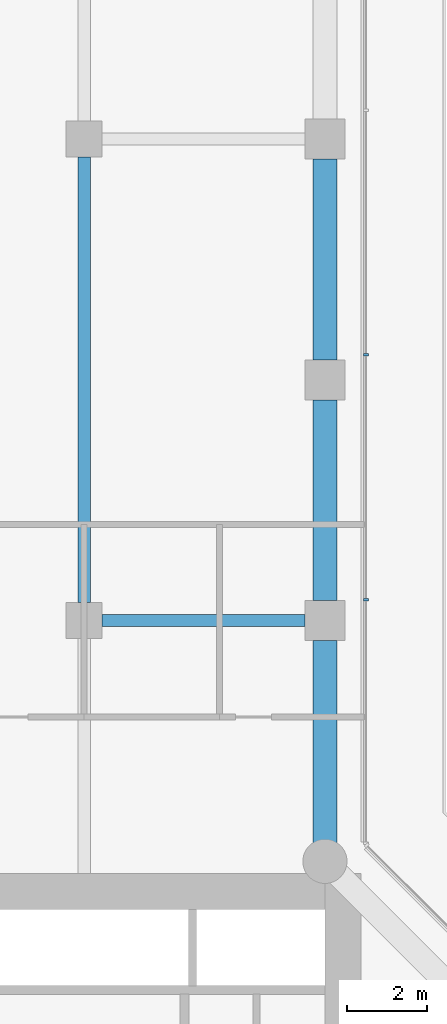
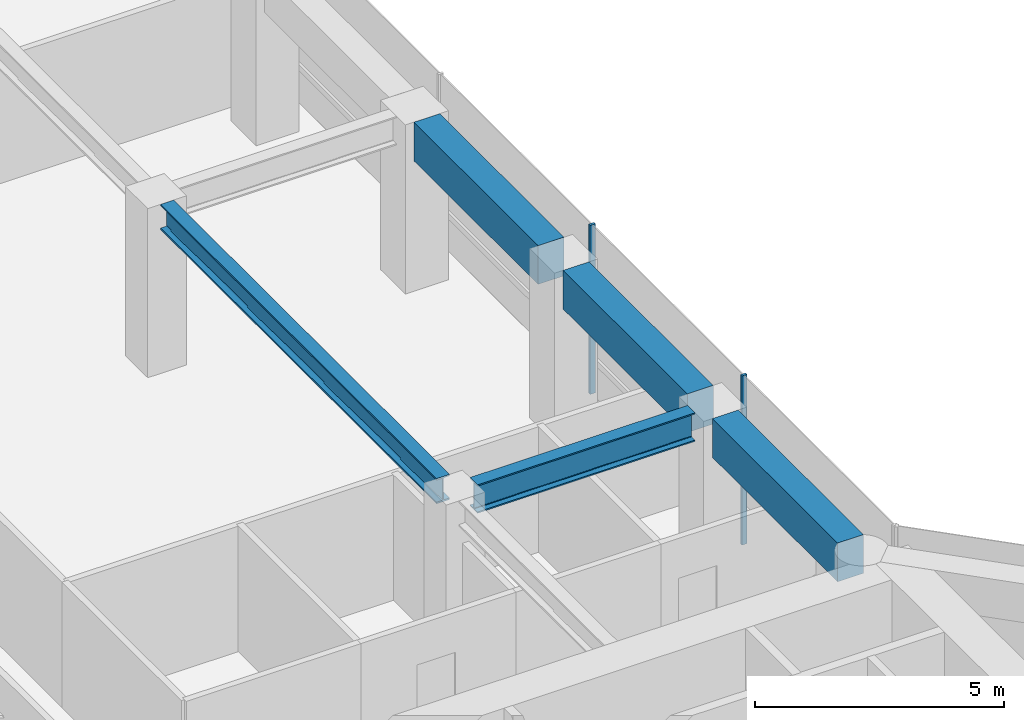
# One storey, part 14 of 24: 5 beams, 2 members, 1 element without a shape of its own.
"""IFC4 building model written with IfcOpenShell, lengths in metres."""

from ifc_helpers import new_model, si_unit, direction, frame, origin, origin_2d, place, context, subcontext, project, spatial, rectangle, i_section, extrude, material, layer, layer_set, material_profile, profile_set, type_object, element, aggregate, save


model = new_model("IFC4")

# Units and contexts
model_context = context("Model", 3, precision=1e-05, world=origin(), true_north=direction((0.0, 1.0)))
body_context = subcontext(model_context, "Body", "Model", "MODEL_VIEW")
ifc_project = project(units=[si_unit("LENGTHUNIT", "METRE"), si_unit("AREAUNIT", "SQUARE_METRE"), si_unit("VOLUMEUNIT", "CUBIC_METRE"), si_unit("PLANEANGLEUNIT", "RADIAN"), si_unit("MASSUNIT", "GRAM", prefix="KILO")], contexts=[model_context])

# Site, building, storey
site_placement = place(None, origin())
site = spatial("IfcSite", under=ifc_project, at=site_placement, CompositionType="ELEMENT")
building_placement = place(site_placement, origin())
building = spatial("IfcBuilding", under=site, at=building_placement, Name="Welwitschia Terrace Campus", CompositionType="ELEMENT")
storey_placement = place(building_placement, frame((0.0, 0.0, 15.5)))
storey = spatial("IfcBuildingStorey", under=building, at=storey_placement, Name="L03", CompositionType="ELEMENT", Elevation=15.5)

# Beam
ifc_material_1 = material(Name="Steel S355", Category="steel")
ifc_material_profile_1 = material_profile(ifc_material_1, i_section(OverallWidth=0.304931640625, OverallDepth=0.6201171875, WebThickness=0.02099609375, FlangeThickness=0.0400390625, FilletRadius=0.027099609375, at=origin_2d()))
ifc_profile_set_1 = profile_set([ifc_material_profile_1], Name="Steel S355")
beam_type_1 = type_object("IfcBeamType", Name="Interior girder HE 600 M", PredefinedType="BEAM", material=ifc_profile_set_1)
beam_1_placement = place(storey_placement, frame((18.0, 32.450439453125, 3.840087890625), z_axis=(0.0, 1.0, 0.0), x_axis=(-1.0, 0.0, 0.0)))
element("IfcBeam", 1, at=beam_1_placement, inside=storey, type_object=beam_type_1, Name="Girder GB1", PredefinedType="BEAM", context=body_context, shape_type="SweptSolid", body=[
    extrude(i_section(OverallWidth=0.304931640625, OverallDepth=0.6201171875, WebThickness=0.02099609375, FlangeThickness=0.0400390625, FilletRadius=0.027099609375, at=origin_2d()), origin(), (0.0, 0.0, 1.0), 11.09912109375),
])

# Curtain wall, members
ifc_material_2 = material(Name="Bronze anodised aluminium", Category="aluminium")
ifc_layer = layer(ifc_material_2, 0.1201171875)
ifc_layer_set = layer_set([ifc_layer], Name="Bronze anodised aluminium")
curtain_wall_type = type_object("IfcCurtainWallType", Name="Curtain wall CW2 tower 6000", PredefinedType="NOTDEFINED", material=ifc_layer_set)
curtain_wall_placement = place(storey_placement, origin())
curtain_wall = element("IfcCurtainWall", 2, at=curtain_wall_placement, inside=storey, type_object=curtain_wall_type, Name="CW L03.7.0", PredefinedType="NOTDEFINED")
ifc_material_3 = material(Name="Bronze anodised aluminium", Category="aluminium")
ifc_material_profile_2 = material_profile(ifc_material_3, rectangle(XDim=0.1201171875, YDim=0.06005859375, at=origin_2d()))
ifc_profile_set_2 = profile_set([ifc_material_profile_2], Name="Bronze anodised aluminium")
member_type = type_object("IfcMemberType", Name="Mullion 60x120", PredefinedType="MULLION", material=ifc_profile_set_2)
member_1_placement = place(storey_placement, frame((25.02001953125, 32.52197265625, 0.0), z_axis=(0.0, 0.0, 1.0), x_axis=(-1.0, 0.0, 0.0)))
member_1 = element("IfcMember", 3, at=member_1_placement, type_object=member_type, Name="Mullion L03.7.0.1", PredefinedType="MULLION", context=body_context, shape_type="SweptSolid", body=[
    extrude(rectangle(XDim=0.1201171875, YDim=0.06005859375, at=origin_2d()), origin(), (0.0, 0.0, 1.0), 4.14990234375),
])
member_2_placement = place(storey_placement, frame((25.02001953125, 38.62158203125, 0.0), z_axis=(0.0, 0.0, 1.0), x_axis=(-1.0, 0.0, 0.0)))
member_2 = element("IfcMember", 4, at=member_2_placement, type_object=member_type, Name="Mullion L03.7.0.2", PredefinedType="MULLION", context=body_context, shape_type="SweptSolid", body=[
    extrude(rectangle(XDim=0.1201171875, YDim=0.06005859375, at=origin_2d()), origin(), (0.0, 0.0, 1.0), 4.14990234375),
])
aggregate(curtain_wall, [member_1, member_2])

# Beams
ifc_material_4 = material(Name="Steel S355", Category="steel")
ifc_material_profile_3 = material_profile(ifc_material_4, i_section(OverallWidth=0.300048828125, OverallDepth=0.699951171875, WebThickness=0.01708984375, FlangeThickness=0.031982421875, FilletRadius=0.027099609375, at=origin_2d()))
ifc_profile_set_3 = profile_set([ifc_material_profile_3], Name="Steel S355")
beam_type_2 = type_object("IfcBeamType", Name="Primary beam HE 700 B", PredefinedType="BEAM", material=ifc_profile_set_3)
beam_2_placement = place(storey_placement, frame((23.49951171875, 32.0, 3.800048828125), z_axis=(-1.0, 0.0, 0.0), x_axis=(0.0, -1.0, 0.0)))
element("IfcBeam", 5, at=beam_2_placement, inside=storey, type_object=beam_type_2, Name="Primary beam PB1", PredefinedType="BEAM", context=body_context, shape_type="SweptSolid", body=[
    extrude(i_section(OverallWidth=0.300048828125, OverallDepth=0.699951171875, WebThickness=0.01708984375, FlangeThickness=0.031982421875, FilletRadius=0.027099609375, at=origin_2d()), origin(), (0.0, 0.0, 1.0), 5.049072265625),
])
ifc_material_5 = material(Name="Concrete C60/75", Category="concrete")
ifc_material_profile_4 = material_profile(ifc_material_5, rectangle(XDim=0.60009765625, YDim=0.949951171875, at=origin_2d()))
ifc_profile_set_4 = profile_set([ifc_material_profile_4], Name="Concrete C60/75")
beam_type_3 = type_object("IfcBeamType", Name="Ring spandrel 600x950", PredefinedType="SPANDREL", material=ifc_profile_set_4)
beam_3_placement = place(storey_placement, frame((24.0, 26.46142578125, 3.675048828125), z_axis=(0.0, 1.0, 0.0), x_axis=(-1.0, 0.0, 0.0)))
element("IfcBeam", 6, at=beam_3_placement, inside=storey, type_object=beam_type_3, Name="Spandrel SP1", PredefinedType="SPANDREL", context=body_context, shape_type="SweptSolid", body=[
    extrude(rectangle(XDim=0.60009765625, YDim=0.949951171875, at=origin_2d()), origin(), (0.0, 0.0, 1.0), 5.0380859375),
])
for number, where, z_axis, x_axis, name in (
    (7, (24.0, 32.50048828125, 3.675048828125), (0.0, 1.0, 0.0), (-1.0, 0.0, 0.0), "Spandrel SP1"),
    (8, (24.0, 38.50048828125, 3.675048828125), (0.0, 1.0, 0.0), (-1.0, 0.0, 0.0), "Spandrel SP1"),
):
    element("IfcBeam", number, at=place(storey_placement, frame(where, z_axis=z_axis, x_axis=x_axis)), inside=storey, type_object=beam_type_3, Name=name, PredefinedType="SPANDREL", context=body_context, shape_type="SweptSolid", body=[
        extrude(rectangle(XDim=0.60009765625, YDim=0.949951171875, at=origin_2d()), origin(), (0.0, 0.0, 1.0), 4.9990234375),
    ])

save(model, "model.ifc")
